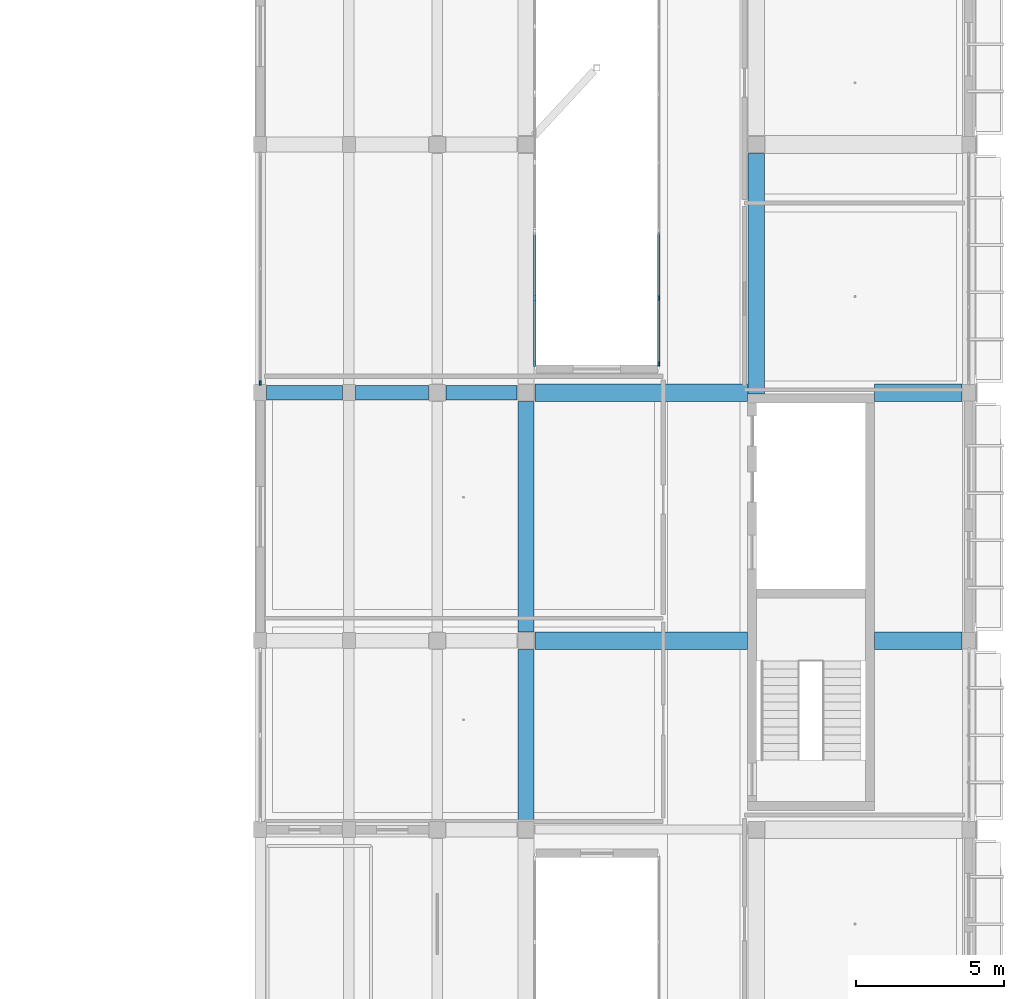
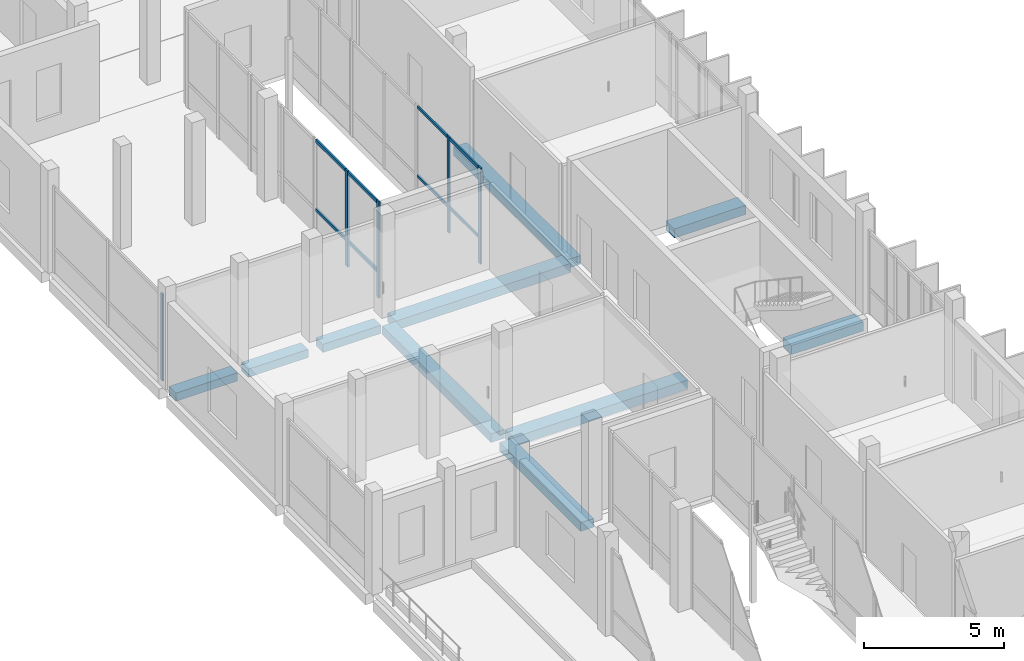
# One storey, part 36 of 95: 10 beams, 9 members, 3 elements without a shape of their own.
"""IFC4 building model written with IfcOpenShell, lengths in metres."""

from ifc_helpers import new_model, si_unit, derived_unit, direction, frame, origin, origin_2d, place, context, subcontext, project, spatial, rectangle, extrude, material, material_profile, profile_set, type_object, element, aggregate, save


model = new_model("IFC4")

# Units and contexts
model_context = context("Model", 3, precision=1e-05, world=origin(), true_north=direction((0.0, 1.0)))
body_context = subcontext(model_context, "Body", "Model", "MODEL_VIEW")
ifc_project = project(units=[si_unit("LENGTHUNIT", "METRE"), si_unit("AREAUNIT", "SQUARE_METRE"), si_unit("VOLUMEUNIT", "CUBIC_METRE"), si_unit("PLANEANGLEUNIT", "RADIAN"), si_unit("MASSUNIT", "GRAM", prefix="KILO"), derived_unit("THERMALTRANSMITTANCEUNIT", [(si_unit("POWERUNIT", "WATT"), 1), (si_unit("LENGTHUNIT", "METRE"), -2), (si_unit("THERMODYNAMICTEMPERATUREUNIT", "KELVIN"), -1)])], contexts=[model_context])

# Site, building, storey
site_placement = place(None, origin())
site = spatial("IfcSite", under=ifc_project, at=site_placement, CompositionType="ELEMENT")
building_placement = place(site_placement, origin())
building = spatial("IfcBuilding", under=site, at=building_placement, Name="Braskholm Square Health Centre", CompositionType="ELEMENT")
storey_placement = place(building_placement, frame((0.0, 0.0, 4.800048828125)))
storey = spatial("IfcBuildingStorey", under=building, at=storey_placement, Name="L02", CompositionType="ELEMENT", Elevation=4.800048828125)

# Curtain wall, member
ifc_material_1 = material(Name="Low-E triple insulating glass (VLT 0.64)", Category="glass")
curtain_wall_type_1 = type_object("IfcCurtainWallType", Name="UnitisedCurtainWall6200x3800", PredefinedType="NOTDEFINED", material=ifc_material_1)
curtain_wall_1_placement = place(storey_placement, origin())
curtain_wall_1 = element("IfcCurtainWall", 1, at=curtain_wall_1_placement, inside=storey, type_object=curtain_wall_type_1, Name="East Valley unitised curtain wall CW-L02-0120", PredefinedType="NOTDEFINED")
ifc_material_2 = material(Name="Architectural bronze anodised aluminium", Category="aluminium")
ifc_material_profile_1 = material_profile(ifc_material_2, rectangle(XDim=0.06494140625, YDim=0.14990234375, at=origin_2d()), Name="ALU-65X150")
ifc_profile_set_1 = profile_set([ifc_material_profile_1], Name="Architectural bronze anodised aluminium")
member_type_1 = type_object("IfcMemberType", Name="CurtainWallMullion65x150", PredefinedType="MULLION", material=ifc_profile_set_1)
member_1_placement = place(storey_placement, frame((139.800048828125, 64.126953125, 0.0), z_axis=(0.0, 0.0, 1.0), x_axis=(1.0, 0.0, 0.0)))
member_1 = element("IfcMember", 2, at=member_1_placement, type_object=member_type_1, Name="CW-L02-0120 vertical mullion 3", PredefinedType="MULLION", context=body_context, shape_type="SweptSolid", body=[
    extrude(rectangle(XDim=0.06494140625, YDim=0.14990234375, at=origin_2d()), origin(), (0.0, 0.0, 1.0), 3.7900390625),
])
aggregate(curtain_wall_1, [member_1])

# Curtain wall, members
curtain_wall_type_2 = type_object("IfcCurtainWallType", Name="UnitisedCurtainWall4800x4100", PredefinedType="NOTDEFINED", material=ifc_material_1)
curtain_wall_2_placement = place(storey_placement, origin())
curtain_wall_2 = element("IfcCurtainWall", 3, at=curtain_wall_2_placement, inside=storey, type_object=curtain_wall_type_2, Name="EC2 Court E unitised curtain wall CW-L02-0358", PredefinedType="NOTDEFINED")
member_2_placement = place(storey_placement, frame((153.300048828125, 67.0009765625, 0.0), z_axis=(0.0, 0.0, 1.0), x_axis=(1.0, 0.0, 0.0)))
member_2 = element("IfcMember", 4, at=member_2_placement, type_object=member_type_1, Name="CW-L02-0358 vertical mullion 2", PredefinedType="MULLION", context=body_context, shape_type="SweptSolid", body=[
    extrude(rectangle(XDim=0.06494140625, YDim=0.14990234375, at=origin_2d()), origin(), (0.0, 0.0, 1.0), 4.199951171875),
])
member_3_placement = place(storey_placement, frame((153.300048828125, 64.76708984375, 0.0), z_axis=(0.0, 0.0, 1.0), x_axis=(1.0, 0.0, 0.0)))
member_3 = element("IfcMember", 5, at=member_3_placement, type_object=member_type_1, Name="CW-L02-0358 vertical mullion 3", PredefinedType="MULLION", context=body_context, shape_type="SweptSolid", body=[
    extrude(rectangle(XDim=0.06494140625, YDim=0.14990234375, at=origin_2d()), origin(), (0.0, 0.0, 1.0), 4.199951171875),
])

curtain_wall_3_placement = place(storey_placement, origin())
curtain_wall_3 = element("IfcCurtainWall", 6, at=curtain_wall_3_placement, inside=storey, type_object=curtain_wall_type_2, Name="EC2 Court W unitised curtain wall CW-L02-0357", PredefinedType="NOTDEFINED")
ifc_material_profile_2 = material_profile(ifc_material_2, rectangle(XDim=0.074951171875, YDim=0.179931640625, at=origin_2d()), Name="ALU-75X180")
ifc_profile_set_2 = profile_set([ifc_material_profile_2], Name="Architectural bronze anodised aluminium")
member_type_2 = type_object("IfcMemberType", Name="CurtainWallMullion75x180", PredefinedType="MULLION", material=ifc_profile_set_2)
member_4_placement = place(storey_placement, frame((149.10009765625, 64.76708984375, 0.0), z_axis=(0.0, 0.0, 1.0), x_axis=(1.0, 0.0, 0.0)))
member_4 = element("IfcMember", 7, at=member_4_placement, type_object=member_type_2, Name="CW-L02-0357 vertical mullion 1", PredefinedType="MULLION", context=body_context, shape_type="SweptSolid", body=[
    extrude(rectangle(XDim=0.074951171875, YDim=0.179931640625, at=origin_2d()), origin(), (0.0, 0.0, 1.0), 4.199951171875),
])
member_5_placement = place(storey_placement, frame((149.10009765625, 67.0009765625, 0.0), z_axis=(0.0, 0.0, 1.0), x_axis=(1.0, 0.0, 0.0)))
member_5 = element("IfcMember", 8, at=member_5_placement, type_object=member_type_2, Name="CW-L02-0357 vertical mullion 2", PredefinedType="MULLION", context=body_context, shape_type="SweptSolid", body=[
    extrude(rectangle(XDim=0.074951171875, YDim=0.179931640625, at=origin_2d()), origin(), (0.0, 0.0, 1.0), 4.199951171875),
])

# Member
ifc_material_profile_3 = material_profile(ifc_material_2, rectangle(XDim=0.06494140625, YDim=0.1201171875, at=origin_2d()), Name="ALU-65X120")
ifc_profile_set_3 = profile_set([ifc_material_profile_3], Name="Architectural bronze anodised aluminium")
member_type_3 = type_object("IfcMemberType", Name="CurtainWallTransom65x120", PredefinedType="USERDEFINED", material=ifc_profile_set_3)
member_6_placement = place(storey_placement, frame((153.300048828125, 69.217041015625, 1.119873046875), z_axis=(0.0, -1.0, 0.0), x_axis=(1.0, 0.0, 0.0)))
member_6 = element("IfcMember", 9, at=member_6_placement, type_object=member_type_3, Name="CW-L02-0358 horizontal transom 1", ObjectType="TRANSOM", PredefinedType="USERDEFINED", context=body_context, shape_type="SweptSolid", body=[
    extrude(rectangle(XDim=0.06494140625, YDim=0.1201171875, at=origin_2d()), origin(), (0.0, 0.0, 1.0), 4.43212890625),
])

member_7_placement = place(storey_placement, frame((153.300048828125, 69.217041015625, 4.1298828125), z_axis=(0.0, -1.0, 0.0), x_axis=(1.0, 0.0, 0.0)))
member_7 = element("IfcMember", 10, at=member_7_placement, type_object=member_type_3, Name="CW-L02-0358 horizontal transom 2", ObjectType="TRANSOM", PredefinedType="USERDEFINED", context=body_context, shape_type="SweptSolid", body=[
    extrude(rectangle(XDim=0.06494140625, YDim=0.1201171875, at=origin_2d()), origin(), (0.0, 0.0, 1.0), 4.43212890625),
])

aggregate(curtain_wall_2, [member_2, member_3, member_6, member_7])

ifc_material_profile_4 = material_profile(ifc_material_2, rectangle(XDim=0.074951171875, YDim=0.139892578125, at=origin_2d()), Name="ALU-75X140")
ifc_profile_set_4 = profile_set([ifc_material_profile_4], Name="Architectural bronze anodised aluminium")
member_type_4 = type_object("IfcMemberType", Name="CurtainWallTransom75x140", PredefinedType="USERDEFINED", material=ifc_profile_set_4)
member_8_placement = place(storey_placement, frame((149.10009765625, 64.784912109375, 1.119873046875), z_axis=(0.0, 1.0, 0.0), x_axis=(-1.0, 0.0, 0.0)))
member_8 = element("IfcMember", 11, at=member_8_placement, type_object=member_type_4, Name="CW-L02-0357 horizontal transom 1", ObjectType="TRANSOM", PredefinedType="USERDEFINED", context=body_context, shape_type="SweptSolid", body=[
    extrude(rectangle(XDim=0.074951171875, YDim=0.139892578125, at=origin_2d()), origin(), (0.0, 0.0, 1.0), 4.43212890625),
])

member_9_placement = place(storey_placement, frame((149.10009765625, 64.784912109375, 4.1298828125), z_axis=(0.0, 1.0, 0.0), x_axis=(-1.0, 0.0, 0.0)))
member_9 = element("IfcMember", 12, at=member_9_placement, type_object=member_type_4, Name="CW-L02-0357 horizontal transom 2", ObjectType="TRANSOM", PredefinedType="USERDEFINED", context=body_context, shape_type="SweptSolid", body=[
    extrude(rectangle(XDim=0.074951171875, YDim=0.139892578125, at=origin_2d()), origin(), (0.0, 0.0, 1.0), 4.43212890625),
])

aggregate(curtain_wall_3, [member_4, member_5, member_8, member_9])

# Beams
ifc_material_3 = material(Name="Concrete C35/45 (f'c = 35 MPa)", Category="concrete")
ifc_material_profile_5 = material_profile(ifc_material_3, rectangle(XDim=0.5, YDim=0.360107421875, at=origin_2d()), Name="RCB-500X360")
ifc_profile_set_5 = profile_set([ifc_material_profile_5], Name="Concrete C35/45 (f'c = 35 MPa)")
beam_type_1 = type_object("IfcBeamType", Name="PrimaryBandBeam500x360", PredefinedType="BEAM", material=ifc_profile_set_5)
beam_1_placement = place(storey_placement, frame((140.02001953125, 63.800048828125, -0.47998046875), z_axis=(1.0, 0.0, 0.0), x_axis=(0.0, 1.0, 0.0)))
element("IfcBeam", 13, at=beam_1_placement, inside=storey, type_object=beam_type_1, Name="Beam 17-18/K L02", PredefinedType="BEAM", context=body_context, shape_type="SweptSolid", body=[
    extrude(rectangle(XDim=0.5, YDim=0.360107421875, at=origin_2d()), origin(), (0.0, 0.0, 1.0), 2.56005859375),
])
beam_2_placement = place(storey_placement, frame((143.02001953125, 63.800048828125, -0.47998046875), z_axis=(1.0, 0.0, 0.0), x_axis=(0.0, 1.0, 0.0)))
element("IfcBeam", 14, at=beam_2_placement, inside=storey, type_object=beam_type_1, Name="Beam 18-19/K L02", PredefinedType="BEAM", context=body_context, shape_type="SweptSolid", body=[
    extrude(rectangle(XDim=0.5, YDim=0.360107421875, at=origin_2d()), origin(), (0.0, 0.0, 1.0), 2.47998046875),
])
beam_3_placement = place(storey_placement, frame((146.10009765625, 63.800048828125, -0.47998046875), z_axis=(1.0, 0.0, 0.0), x_axis=(0.0, 1.0, 0.0)))
element("IfcBeam", 15, at=beam_3_placement, inside=storey, type_object=beam_type_1, Name="Beam 19-20/K L02", PredefinedType="BEAM", context=body_context, shape_type="SweptSolid", body=[
    extrude(rectangle(XDim=0.5, YDim=0.360107421875, at=origin_2d()), origin(), (0.0, 0.0, 1.0), 2.39990234375),
])
ifc_material_profile_6 = material_profile(ifc_material_3, rectangle(XDim=0.550048828125, YDim=0.3798828125, at=origin_2d()), Name="RCB-550X380")
ifc_profile_set_6 = profile_set([ifc_material_profile_6], Name="Concrete C35/45 (f'c = 35 MPa)")
beam_type_2 = type_object("IfcBeamType", Name="PrimaryBandBeam550x380", PredefinedType="BEAM", material=ifc_profile_set_6)
beam_4_placement = place(storey_placement, frame((148.800048828125, 49.300048828125, -0.489990234375), z_axis=(0.0, 1.0, 0.0), x_axis=(-1.0, 0.0, 0.0)))
element("IfcBeam", 16, at=beam_4_placement, inside=storey, type_object=beam_type_2, Name="Beam 20/H-J L02", PredefinedType="BEAM", context=body_context, shape_type="SweptSolid", body=[
    extrude(rectangle(XDim=0.550048828125, YDim=0.3798828125, at=origin_2d()), origin(), (0.0, 0.0, 1.0), 5.800048828125),
])
beam_5_placement = place(storey_placement, frame((148.800048828125, 55.699951171875, -0.489990234375), z_axis=(0.0, 1.0, 0.0), x_axis=(-1.0, 0.0, 0.0)))
element("IfcBeam", 17, at=beam_5_placement, inside=storey, type_object=beam_type_2, Name="Beam 20/J-K L02", PredefinedType="BEAM", context=body_context, shape_type="SweptSolid", body=[
    extrude(rectangle(XDim=0.550048828125, YDim=0.3798828125, at=origin_2d()), origin(), (0.0, 0.0, 1.0), 7.800048828125),
])
beam_6_placement = place(storey_placement, frame((156.60009765625, 63.75, -0.489990234375), z_axis=(0.0, 1.0, 0.0), x_axis=(-1.0, 0.0, 0.0)))
element("IfcBeam", 18, at=beam_6_placement, inside=storey, type_object=beam_type_2, Name="Beam 21/H-L L02", PredefinedType="BEAM", context=body_context, shape_type="SweptSolid", body=[
    extrude(rectangle(XDim=0.550048828125, YDim=0.3798828125, at=origin_2d()), origin(), (0.0, 0.0, 1.0), 8.14990234375),
])
ifc_material_profile_7 = material_profile(ifc_material_3, rectangle(XDim=0.60009765625, YDim=0.39990234375, at=origin_2d()), Name="RCB-600X400")
ifc_profile_set_7 = profile_set([ifc_material_profile_7], Name="Concrete C35/45 (f'c = 35 MPa)")
beam_type_3 = type_object("IfcBeamType", Name="PrimaryBandBeam600x400", PredefinedType="BEAM", material=ifc_profile_set_7)
beam_7_placement = place(storey_placement, frame((149.10009765625, 55.39990234375, -0.5), z_axis=(1.0, 0.0, 0.0), x_axis=(0.0, 1.0, 0.0)))
element("IfcBeam", 19, at=beam_7_placement, inside=storey, type_object=beam_type_3, Name="Beam 20-22/J L02", PredefinedType="BEAM", context=body_context, shape_type="SweptSolid", body=[
    extrude(rectangle(XDim=0.60009765625, YDim=0.39990234375, at=origin_2d()), origin(), (0.0, 0.0, 1.0), 7.199951171875),
])
beam_8_placement = place(storey_placement, frame((160.60009765625, 55.39990234375, -0.5), z_axis=(1.0, 0.0, 0.0), x_axis=(0.0, 1.0, 0.0)))
element("IfcBeam", 20, at=beam_8_placement, inside=storey, type_object=beam_type_3, Name="Beam 20-22/J L02", PredefinedType="BEAM", context=body_context, shape_type="SweptSolid", body=[
    extrude(rectangle(XDim=0.60009765625, YDim=0.39990234375, at=origin_2d()), origin(), (0.0, 0.0, 1.0), 2.969970703125),
])
beam_9_placement = place(storey_placement, frame((149.10009765625, 63.800048828125, -0.5), z_axis=(1.0, 0.0, 0.0), x_axis=(0.0, 1.0, 0.0)))
element("IfcBeam", 21, at=beam_9_placement, inside=storey, type_object=beam_type_3, Name="Beam 20-22/K L02", PredefinedType="BEAM", context=body_context, shape_type="SweptSolid", body=[
    extrude(rectangle(XDim=0.60009765625, YDim=0.39990234375, at=origin_2d()), origin(), (0.0, 0.0, 1.0), 7.199951171875),
])
beam_10_placement = place(storey_placement, frame((160.60009765625, 63.800048828125, -0.5), z_axis=(1.0, 0.0, 0.0), x_axis=(0.0, 1.0, 0.0)))
element("IfcBeam", 22, at=beam_10_placement, inside=storey, type_object=beam_type_3, Name="Beam 20-22/K L02", PredefinedType="BEAM", context=body_context, shape_type="SweptSolid", body=[
    extrude(rectangle(XDim=0.60009765625, YDim=0.39990234375, at=origin_2d()), origin(), (0.0, 0.0, 1.0), 2.969970703125),
])

save(model, "model.ifc")
